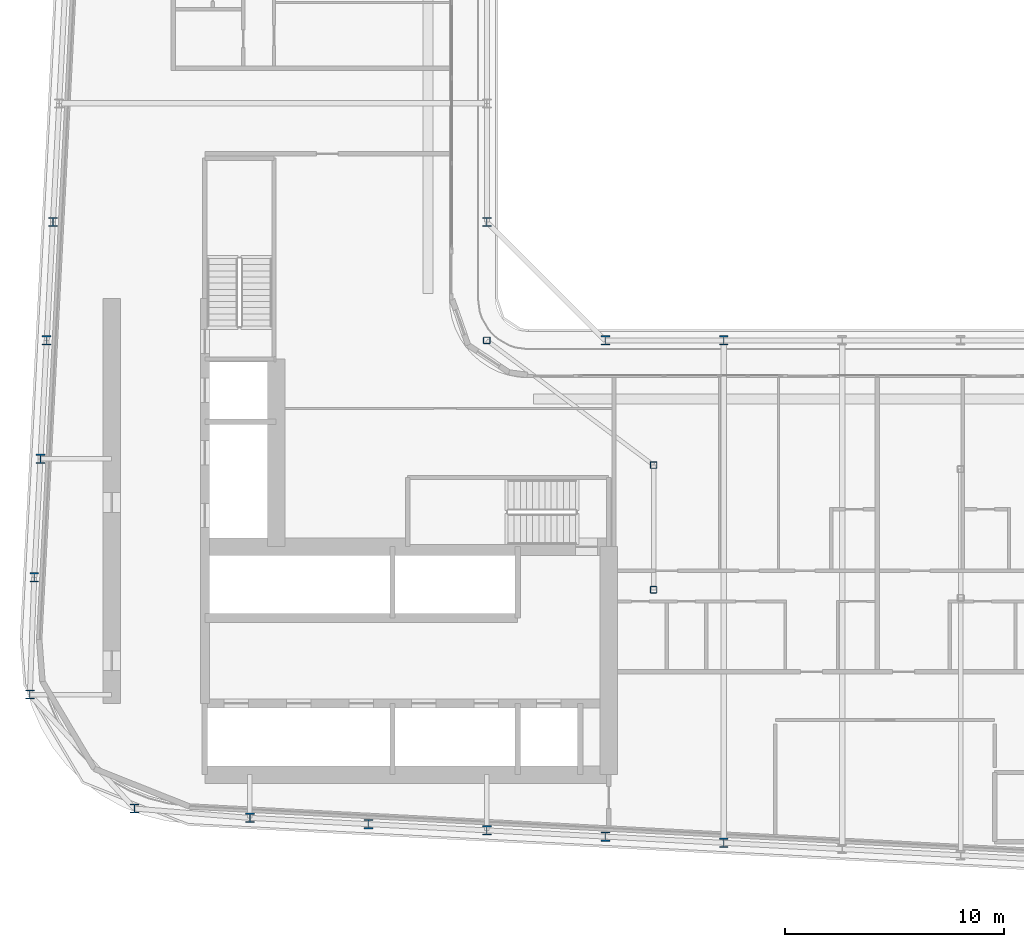
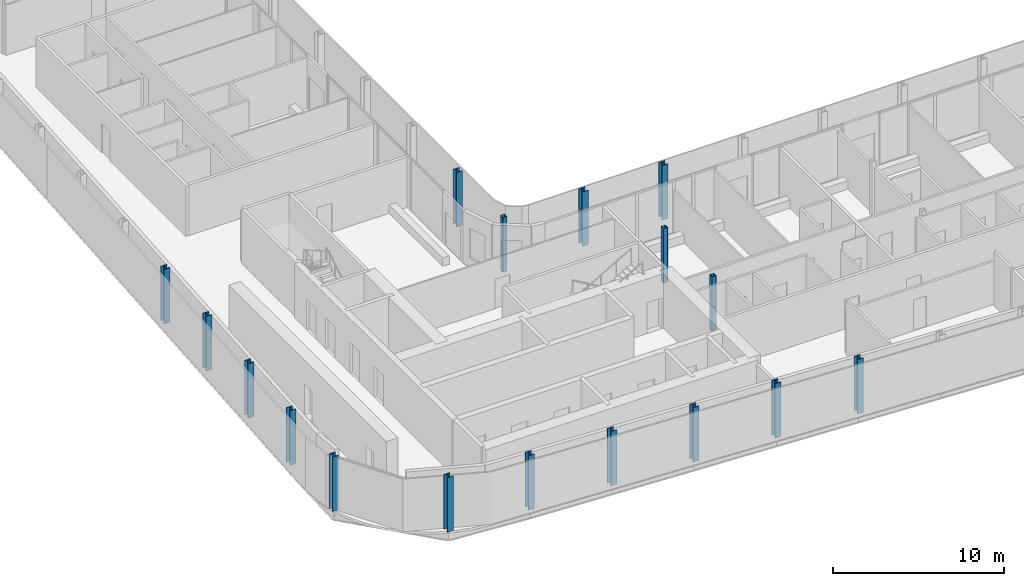
# One storey, part 1 of 28: 17 columns.
"""IFC4 building model written with IfcOpenShell, lengths in metres."""

from ifc_helpers import new_model, si_unit, direction, frame, origin, origin_2d, place, context, subcontext, project, spatial, hollow_rectangle, i_section, extrude, material, material_profile, profile_set, type_object, element, save


model = new_model("IFC4")

# Units and contexts
model_context = context("Model", 3, precision=1e-05, world=origin(), true_north=direction((0.0, 1.0)))
body_context = subcontext(model_context, "Body", "Model", "MODEL_VIEW")
ifc_project = project(units=[si_unit("LENGTHUNIT", "METRE"), si_unit("AREAUNIT", "SQUARE_METRE"), si_unit("VOLUMEUNIT", "CUBIC_METRE"), si_unit("PLANEANGLEUNIT", "RADIAN"), si_unit("MASSUNIT", "GRAM", prefix="KILO")], contexts=[model_context])

# Site, building, storey
site_placement = place(None, origin())
site = spatial("IfcSite", under=ifc_project, at=site_placement, CompositionType="ELEMENT")
building_placement = place(site_placement, origin())
building = spatial("IfcBuilding", under=site, at=building_placement, Name="Kheshtan School and Residences Tower", CompositionType="ELEMENT")
storey_placement = place(building_placement, frame((0.0, 0.0, 191.60009765625)))
storey = spatial("IfcBuildingStorey", under=building, at=storey_placement, Name="L45", CompositionType="ELEMENT", Elevation=191.60009765625)

# Columns
ifc_material_1 = material(Name="Steel ASTM A992 Grade 50", Category="steel")
ifc_material_profile_1 = material_profile(ifc_material_1, i_section(OverallWidth=0.408935546875, OverallDepth=0.425048828125, WebThickness=0.03271484375, FlangeThickness=0.052490234375, FilletRadius=0.0126953125, at=origin_2d()), Name="W360x421")
ifc_profile_set_1 = profile_set([ifc_material_profile_1], Name="Steel ASTM A992 Grade 50")
column_type_1 = type_object("IfcColumnType", Name="Column C3 W360x421 ASTM A992 Grade 50", PredefinedType="COLUMN", material=ifc_profile_set_1)
for number, where, z_axis, x_axis, name in (
    (1, (58.39990234375, 22.695068359375, 0.0), (0.0, 0.0, 1.0), (1.0, 0.0, 0.0), "Column C018"),
    (2, (53.0, 22.97998046875, 0.0), (0.0, 0.0, 1.0), (1.0, 0.0, 0.0), "Column C019"),
    (3, (47.60009765625, 23.263916015625, 0.0), (0.0, 0.0, 1.0), (1.0, 0.0, 0.0), "Column C020"),
    (4, (42.199951171875, 23.548095703125, 0.0), (0.0, 0.0, 1.0), (1.0, 0.0, 0.0), "Column C021"),
    (5, (36.800048828125, 23.83203125, 0.0), (0.0, 0.0, 1.0), (1.0, 0.0, 0.0), "Column C022"),
    (6, (31.5419921875, 24.257080078125, 0.0), (0.0, 0.0, 1.0), (1.0, 0.0, 0.0), "Column C025"),
    (7, (26.76904296875, 29.4541015625, 0.0), (0.0, 0.0, 1.0), (1.0, 0.0, 0.0), "Column C038"),
    (8, (26.968994140625, 34.800048828125, 0.0), (0.0, 0.0, 1.0), (1.0, 0.0, 0.0), "Column C052"),
    (9, (27.2529296875, 40.199951171875, 0.0), (0.0, 0.0, 1.0), (1.0, 0.0, 0.0), "Column C056"),
    (10, (27.537109375, 45.60009765625, 0.0), (0.0, 0.0, 1.0), (1.0, 0.0, 0.0), "Column C059"),
    (11, (53.0, 45.60009765625, 0.0), (0.0, 0.0, 1.0), (1.0, 0.0, 0.0), "Column C061"),
    (12, (58.39990234375, 45.60009765625, 0.0), (0.0, 0.0, 1.0), (1.0, 0.0, 0.0), "Column C062"),
    (13, (27.822021484375, 51.0, 0.0), (0.0, 0.0, 1.0), (1.0, 0.0, 0.0), "Column C078"),
    (14, (47.60009765625, 51.0, 0.0), (0.0, 0.0, 1.0), (1.0, 0.0, 0.0), "Column C079"),
):
    element("IfcColumn", number, at=place(storey_placement, frame(where, z_axis=z_axis, x_axis=x_axis)), inside=storey, type_object=column_type_1, Name=name, PredefinedType="COLUMN", context=body_context, shape_type="SweptSolid", body=[
        extrude(i_section(OverallWidth=0.408935546875, OverallDepth=0.425048828125, WebThickness=0.03271484375, FlangeThickness=0.052490234375, FilletRadius=0.0126953125, at=origin_2d()), origin(), (0.0, 0.0, 1.0), 3.89990234375),
    ])
ifc_material_2 = material(Name="Steel ASTM A500 Grade C", Category="steel")
ifc_material_profile_2 = material_profile(ifc_material_2, hollow_rectangle(XDim=0.304931640625, YDim=0.304931640625, WallThickness=0.015869140625, InnerFilletRadius=0.015869140625, OuterFilletRadius=0.03173828125, at=origin_2d()), Name="HSS 305x305x15.9")
ifc_profile_set_2 = profile_set([ifc_material_profile_2], Name="Steel ASTM A500 Grade C")
column_type_2 = type_object("IfcColumnType", Name="Column IC2 HSS 305x305x15.9 ASTM A500 Grade C", PredefinedType="COLUMN", material=ifc_profile_set_2)
for number, where, z_axis, x_axis, name in (
    (15, (55.199951171875, 34.23193359375, 0.0), (0.0, 0.0, 1.0), (1.0, 0.0, 0.0), "Column C051"),
    (16, (55.199951171875, 39.916015625, 0.0), (0.0, 0.0, 1.0), (1.0, 0.0, 0.0), "Column C055"),
    (17, (47.60009765625, 45.60009765625, 0.0), (0.0, 0.0, 1.0), (1.0, 0.0, 0.0), "Column C060"),
):
    element("IfcColumn", number, at=place(storey_placement, frame(where, z_axis=z_axis, x_axis=x_axis)), inside=storey, type_object=column_type_2, Name=name, PredefinedType="COLUMN", context=body_context, shape_type="SweptSolid", body=[
        extrude(hollow_rectangle(XDim=0.304931640625, YDim=0.304931640625, WallThickness=0.015869140625, InnerFilletRadius=0.015869140625, OuterFilletRadius=0.03173828125, at=origin_2d()), origin(), (0.0, 0.0, 1.0), 3.89990234375),
    ])

save(model, "model.ifc")
